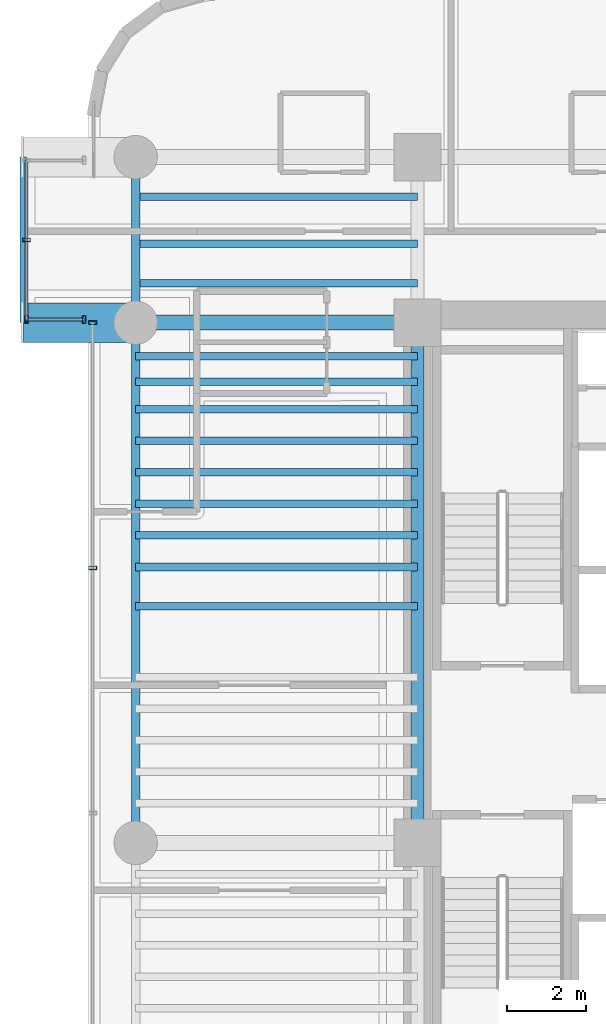
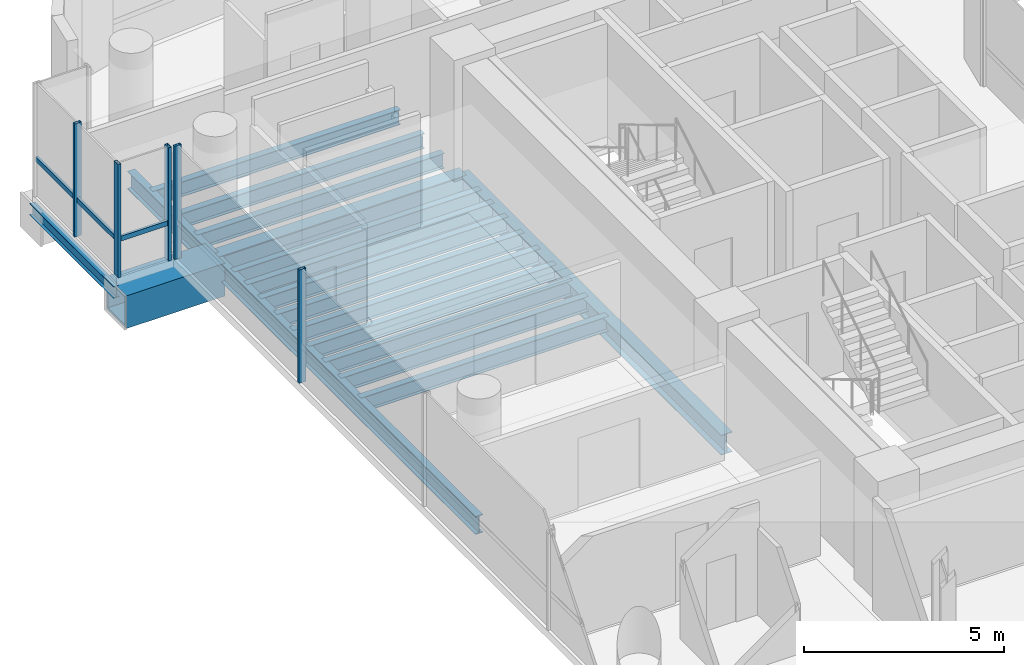
# One storey, part 8 of 35: 18 beams, 7 members, 3 elements without a shape of their own.
"""IFC4 building model written with IfcOpenShell, lengths in metres."""

from ifc_helpers import new_model, si_unit, direction, frame, origin, origin_2d, place, context, subcontext, project, spatial, hollow_rectangle, i_section, extrude, source, transform, mapped, material, material_profile, profile_set, type_object, element, aggregate, save


model = new_model("IFC4")

# Units and contexts
model_context = context("Model", 3, precision=1e-05, world=origin(), true_north=direction((0.0, 1.0)))
body_context = subcontext(model_context, "Body", "Model", "MODEL_VIEW")
ifc_project = project(units=[si_unit("LENGTHUNIT", "METRE"), si_unit("AREAUNIT", "SQUARE_METRE"), si_unit("VOLUMEUNIT", "CUBIC_METRE"), si_unit("PLANEANGLEUNIT", "RADIAN"), si_unit("MASSUNIT", "GRAM", prefix="KILO")], contexts=[model_context])

# Site, building, storey
site_placement = place(None, origin())
site = spatial("IfcSite", under=ifc_project, at=site_placement, CompositionType="ELEMENT")
building_placement = place(site_placement, origin())
building = spatial("IfcBuilding", under=site, at=building_placement, Name="Valdorenza Pilgrim Sanctuary Tower", CompositionType="ELEMENT")
storey_placement = place(building_placement, frame((0.0, 0.0, 116.800048828125)))
storey = spatial("IfcBuildingStorey", under=building, at=storey_placement, Name="L29", CompositionType="ELEMENT", Elevation=116.800048828125)

# Beams
ifc_material_1 = material(Name="Steel ASTM A992 Grade 50", Category="steel")
ifc_material_profile_1 = material_profile(ifc_material_1, i_section(OverallWidth=0.214111328125, OverallDepth=0.549072265625, WebThickness=0.0146484375, FlangeThickness=0.023681640625, at=origin_2d()), Name="W21X93")
ifc_profile_set_1 = profile_set([ifc_material_profile_1], Name="Steel ASTM A992 Grade 50")
beam_type_1 = type_object("IfcBeamType", Name="STR-BM-SPN-W21A", PredefinedType="SPANDREL", material=ifc_profile_set_1)
shared_shape_1 = source(origin(), body_context, "Body", "SweptSolid", [
    extrude(i_section(OverallWidth=0.214111328125, OverallDepth=0.549072265625, WebThickness=0.0146484375, FlangeThickness=0.023681640625, at=origin_2d()), origin(), (0.0, 0.0, 1.0), 13.2001953125),
])
beam_1_placement = place(storey_placement, frame((-29.800048828125, -2.60009765625, -0.5146484375), z_axis=(0.0, 1.0, 0.0), x_axis=(-1.0, 0.0, 0.0)))
element("IfcBeam", 1, at=beam_1_placement, inside=storey, type_object=beam_type_1, Name="L29 Spandrel Beam WA-W-M0N1", PredefinedType="SPANDREL", context=body_context, shape_type="MappedRepresentation", body=[
    mapped(shared_shape_1, transform((0.0, 0.0, 0.0), x_axis=(1.0, 0.0, 0.0), y_axis=(0.0, 1.0, 0.0), z_axis=(0.0, 0.0, 1.0), scale=1.0)),
])
ifc_material_profile_2 = material_profile(ifc_material_1, i_section(OverallWidth=0.323974609375, OverallDepth=0.611083984375, WebThickness=0.0126953125, FlangeThickness=0.01904296875, at=origin_2d()), Name="W24X104")
ifc_profile_set_2 = profile_set([ifc_material_profile_2], Name="Steel ASTM A992 Grade 50")
beam_type_2 = type_object("IfcBeamType", Name="STR-BM-GRD-W24B", PredefinedType="BEAM", material=ifc_profile_set_2)
shared_shape_2 = source(origin(), body_context, "Body", "SweptSolid", [
    extrude(i_section(OverallWidth=0.323974609375, OverallDepth=0.611083984375, WebThickness=0.0126953125, FlangeThickness=0.01904296875, at=origin_2d()), origin(), (0.0, 0.0, 1.0), 13.2001953125),
])
beam_2_placement = place(storey_placement, frame((-22.64990234375, -2.60009765625, -0.545654296875), z_axis=(0.0, 1.0, 0.0), x_axis=(-1.0, 0.0, 0.0)))
element("IfcBeam", 2, at=beam_2_placement, inside=storey, type_object=beam_type_2, Name="L29 Core Tie Girder CA-W-M0N1", PredefinedType="BEAM", context=body_context, shape_type="MappedRepresentation", body=[
    mapped(shared_shape_2, transform((0.0, 0.0, 0.0), x_axis=(1.0, 0.0, 0.0), y_axis=(0.0, 1.0, 0.0), z_axis=(0.0, 0.0, 1.0), scale=1.0)),
])
shared_shape_3 = source(origin(), body_context, "Body", "SweptSolid", [
    extrude(i_section(OverallWidth=0.214111328125, OverallDepth=0.549072265625, WebThickness=0.0146484375, FlangeThickness=0.023681640625, at=origin_2d()), origin(), (0.0, 0.0, 1.0), 4.199951171875),
])
beam_3_placement = place(storey_placement, frame((-29.800048828125, 10.60009765625, -0.5146484375), z_axis=(0.0, 1.0, 0.0), x_axis=(-1.0, 0.0, 0.0)))
element("IfcBeam", 3, at=beam_3_placement, inside=storey, type_object=beam_type_1, Name="L29 Spandrel Beam WA-W-N1N2", PredefinedType="SPANDREL", context=body_context, shape_type="MappedRepresentation", body=[
    mapped(shared_shape_3, transform((0.0, 0.0, 0.0), x_axis=(1.0, 0.0, 0.0), y_axis=(0.0, 1.0, 0.0), z_axis=(0.0, 0.0, 1.0), scale=1.0)),
])
ifc_material_profile_3 = material_profile(ifc_material_1, i_section(OverallWidth=0.1708984375, OverallDepth=0.35107421875, WebThickness=0.0068359375, FlangeThickness=0.009765625, at=origin_2d()), Name="W14X30")
ifc_profile_set_3 = profile_set([ifc_material_profile_3], Name="Steel ASTM A992 Grade 50")
beam_type_3 = type_object("IfcBeamType", Name="STR-BM-BOX-W14", PredefinedType="BEAM", material=ifc_profile_set_3)
shared_shape_4 = source(origin(), body_context, "Body", "SweptSolid", [
    extrude(i_section(OverallWidth=0.1708984375, OverallDepth=0.35107421875, WebThickness=0.0068359375, FlangeThickness=0.009765625, at=origin_2d()), origin(), (0.0, 0.0, 1.0), 4.199951171875),
])
beam_4_placement = place(storey_placement, frame((-32.64990234375, 10.60009765625, -0.41552734375), z_axis=(0.0, 1.0, 0.0), x_axis=(-1.0, 0.0, 0.0)))
element("IfcBeam", 4, at=beam_4_placement, inside=storey, type_object=beam_type_3, Name="L29 Glass Box Edge Beam BOX-WA-L29-F", PredefinedType="BEAM", context=body_context, shape_type="MappedRepresentation", body=[
    mapped(shared_shape_4, transform((0.0, 0.0, 0.0), x_axis=(1.0, 0.0, 0.0), y_axis=(0.0, 1.0, 0.0), z_axis=(0.0, 0.0, 1.0), scale=1.0)),
])
ifc_material_profile_4 = material_profile(ifc_material_1, i_section(OverallWidth=0.382080078125, OverallDepth=0.779052734375, WebThickness=0.01806640625, FlangeThickness=0.030029296875, at=origin_2d()), Name="W30X191")
ifc_profile_set_4 = profile_set([ifc_material_profile_4], Name="Steel ASTM A992 Grade 50")
beam_type_4 = type_object("IfcBeamType", Name="STR-BM-GRD-W30", PredefinedType="BEAM", material=ifc_profile_set_4)
shared_shape_5 = source(origin(), body_context, "Body", "SweptSolid", [
    extrude(i_section(OverallWidth=0.382080078125, OverallDepth=0.779052734375, WebThickness=0.01806640625, FlangeThickness=0.030029296875, at=origin_2d()), origin(), (0.0, 0.0, 1.0), 7.150146484375),
])
beam_5_placement = place(storey_placement, frame((-29.800048828125, 10.60009765625, -0.629638671875), z_axis=(1.0, 0.0, 0.0), x_axis=(0.0, 1.0, 0.0)))
element("IfcBeam", 5, at=beam_5_placement, inside=storey, type_object=beam_type_4, Name="L29 Floor Girder WA-XW-N1", PredefinedType="BEAM", context=body_context, shape_type="MappedRepresentation", body=[
    mapped(shared_shape_5, transform((0.0, 0.0, 0.0), x_axis=(1.0, 0.0, 0.0), y_axis=(0.0, 1.0, 0.0), z_axis=(0.0, 0.0, 1.0), scale=1.0)),
])
ifc_material_profile_5 = material_profile(ifc_material_1, i_section(OverallWidth=0.19091796875, OverallDepth=0.45703125, WebThickness=0.009033203125, FlangeThickness=0.014404296875, at=origin_2d()), Name="W18X50")
ifc_profile_set_5 = profile_set([ifc_material_profile_5], Name="Steel ASTM A992 Grade 50")
beam_type_5 = type_object("IfcBeamType", Name="STR-BM-JST-W18B", PredefinedType="JOIST", material=ifc_profile_set_5)
shared_shape_6 = source(origin(), body_context, "Body", "SweptSolid", [
    extrude(i_section(OverallWidth=0.19091796875, OverallDepth=0.45703125, WebThickness=0.009033203125, FlangeThickness=0.014404296875, at=origin_2d()), origin(), (0.0, 0.0, 1.0), 7.150146484375),
])
for number, where, z_axis, x_axis, name in (
    (6, (-29.800048828125, 3.39990234375, -0.468505859375), (1.0, 0.0, 0.0), (0.0, 1.0, 0.0), "L29 Composite Floor Joist JST-WA-15"),
    (7, (-29.800048828125, 4.39990234375, -0.468505859375), (1.0, 0.0, 0.0), (0.0, 1.0, 0.0), "L29 Composite Floor Joist JST-WA-16"),
    (8, (-29.800048828125, 5.199951171875, -0.468505859375), (1.0, 0.0, 0.0), (0.0, 1.0, 0.0), "L29 Composite Floor Joist JST-WA-17"),
    (9, (-29.800048828125, 6.0, -0.468505859375), (1.0, 0.0, 0.0), (0.0, 1.0, 0.0), "L29 Composite Floor Joist JST-WA-18"),
    (10, (-29.800048828125, 6.800048828125, -0.468505859375), (1.0, 0.0, 0.0), (0.0, 1.0, 0.0), "L29 Composite Floor Joist JST-WA-19"),
    (11, (-29.800048828125, 7.60009765625, -0.468505859375), (1.0, 0.0, 0.0), (0.0, 1.0, 0.0), "L29 Composite Floor Joist JST-WA-20"),
    (12, (-29.800048828125, 8.39990234375, -0.468505859375), (1.0, 0.0, 0.0), (0.0, 1.0, 0.0), "L29 Composite Floor Joist JST-WA-21"),
    (13, (-29.800048828125, 9.10009765625, -0.468505859375), (1.0, 0.0, 0.0), (0.0, 1.0, 0.0), "L29 Composite Floor Joist JST-WA-22"),
    (14, (-29.800048828125, 9.75, -0.468505859375), (1.0, 0.0, 0.0), (0.0, 1.0, 0.0), "L29 Composite Floor Joist JST-WA-23"),
    (15, (-29.800048828125, 11.60009765625, -0.468505859375), (1.0, 0.0, 0.0), (0.0, 1.0, 0.0), "L29 Composite Floor Joist JST-WA-24"),
    (16, (-29.800048828125, 12.60009765625, -0.468505859375), (1.0, 0.0, 0.0), (0.0, 1.0, 0.0), "L29 Composite Floor Joist JST-WA-25"),
    (17, (-29.800048828125, 13.800048828125, -0.468505859375), (1.0, 0.0, 0.0), (0.0, 1.0, 0.0), "L29 Composite Floor Joist JST-WA-26"),
):
    element("IfcBeam", number, at=place(storey_placement, frame(where, z_axis=z_axis, x_axis=x_axis)), inside=storey, type_object=beam_type_5, Name=name, PredefinedType="JOIST", context=body_context, shape_type="MappedRepresentation", body=[
        mapped(shared_shape_6, transform((0.0, 0.0, 0.0), x_axis=(1.0, 0.0, 0.0), y_axis=(0.0, 1.0, 0.0), z_axis=(0.0, 0.0, 1.0), scale=1.0)),
    ])
ifc_material_2 = material(Name="Steel ASTM A572 Grade 42", Category="steel")
ifc_material_profile_6 = material_profile(ifc_material_2, hollow_rectangle(XDim=1.0, YDim=1.0, WallThickness=0.080078125, at=origin_2d()), Name="BOX 1000x1000x80")
ifc_profile_set_6 = profile_set([ifc_material_profile_6], Name="Steel ASTM A572 Grade 42")
beam_type_6 = type_object("IfcBeamType", Name="STR-BM-PROW-CANT", PredefinedType="BEAM", material=ifc_profile_set_6)
shared_shape_7 = source(origin(), body_context, "Body", "SweptSolid", [
    extrude(hollow_rectangle(XDim=1.0, YDim=1.0, WallThickness=0.080078125, at=origin_2d()), origin(), (0.0, 0.0, 1.0), 2.849853515625),
])
beam_6_placement = place(storey_placement, frame((-29.800048828125, 10.60009765625, -0.739990234375), z_axis=(-1.0, 0.0, 0.0), x_axis=(0.0, -1.0, 0.0)))
element("IfcBeam", 18, at=beam_6_placement, inside=storey, type_object=beam_type_6, Name="L29 Glass Box Cantilever Beam BOX-WA-L29-CT-S", PredefinedType="BEAM", context=body_context, shape_type="MappedRepresentation", body=[
    mapped(shared_shape_7, transform((0.0, 0.0, 0.0), x_axis=(1.0, 0.0, 0.0), y_axis=(0.0, 1.0, 0.0), z_axis=(0.0, 0.0, 1.0), scale=1.0)),
])

# Curtain wall, members
ifc_material_3 = material(Name="Curtain-wall IGU glazing", Category="glass")
curtain_wall_type = type_object("IfcCurtainWallType", Name="CW-SYS-02", PredefinedType="NOTDEFINED", material=ifc_material_3)
curtain_wall_1_placement = place(storey_placement, origin())
curtain_wall_1 = element("IfcCurtainWall", 19, at=curtain_wall_1_placement, inside=storey, type_object=curtain_wall_type, Name="L29 Curtain Wall CW-L29-1-1S1", PredefinedType="NOTDEFINED")
ifc_material_4 = material(Name="Anodised aluminium AW-6060", Category="aluminium")
ifc_material_profile_7 = material_profile(ifc_material_4, hollow_rectangle(XDim=0.0849609375, YDim=0.199951171875, WallThickness=0.0048828125, at=origin_2d()), Name="ALU-M 200x85x5")
ifc_profile_set_7 = profile_set([ifc_material_profile_7], Name="Anodised aluminium AW-6060")
member_type_1 = type_object("IfcMemberType", Name="CW-MUL-02", PredefinedType="MULLION", material=ifc_profile_set_7)
shared_shape_8 = source(origin(), body_context, "Body", "SweptSolid", [
    extrude(hollow_rectangle(XDim=0.0849609375, YDim=0.199951171875, WallThickness=0.0048828125, at=origin_2d()), origin(), (0.0, 0.0, 1.0), 3.4599609375),
])
member_1_placement = place(storey_placement, frame((-30.889892578125, 4.377685546875, 0.0), z_axis=(0.0, 0.0, 1.0), x_axis=(0.0, 1.0, 0.0)))
member_1 = element("IfcMember", 20, at=member_1_placement, type_object=member_type_1, Name="CW-L29-1-1S1 Mullion 4", PredefinedType="MULLION", context=body_context, shape_type="MappedRepresentation", body=[
    mapped(shared_shape_8, transform((0.0, 0.0, 0.0), x_axis=(1.0, 0.0, 0.0), y_axis=(0.0, 1.0, 0.0), z_axis=(0.0, 0.0, 1.0), scale=1.0)),
])
member_2_placement = place(storey_placement, frame((-30.889892578125, 10.60009765625, 0.0), z_axis=(0.0, 0.0, 1.0), x_axis=(0.0, 1.0, 0.0)))
member_2 = element("IfcMember", 21, at=member_2_placement, type_object=member_type_1, Name="CW-L29-1-1S1 Mullion 5", PredefinedType="MULLION", context=body_context, shape_type="MappedRepresentation", body=[
    mapped(shared_shape_8, transform((0.0, 0.0, 0.0), x_axis=(1.0, 0.0, 0.0), y_axis=(0.0, 1.0, 0.0), z_axis=(0.0, 0.0, 1.0), scale=1.0)),
])
aggregate(curtain_wall_1, [member_1, member_2])

curtain_wall_2_placement = place(storey_placement, origin())
curtain_wall_2 = element("IfcCurtainWall", 22, at=curtain_wall_2_placement, inside=storey, type_object=curtain_wall_type, Name="L29 Curtain Wall CW-L29-BOX-WA-L29-S", PredefinedType="NOTDEFINED")
member_3_placement = place(storey_placement, frame((-31.110107421875, 10.679931640625, 0.0), z_axis=(0.0, 0.0, 1.0), x_axis=(-1.0, 0.0, 0.0)))
member_3 = element("IfcMember", 23, at=member_3_placement, type_object=member_type_1, Name="CW-L29-BOX-WA-L29-S Mullion 1", PredefinedType="MULLION", context=body_context, shape_type="MappedRepresentation", body=[
    mapped(shared_shape_8, transform((0.0, 0.0, 0.0), x_axis=(1.0, 0.0, 0.0), y_axis=(0.0, 1.0, 0.0), z_axis=(0.0, 0.0, 1.0), scale=1.0)),
])
member_4_placement = place(storey_placement, frame((-32.570068359375, 10.679931640625, 0.0), z_axis=(0.0, 0.0, 1.0), x_axis=(-1.0, 0.0, 0.0)))
member_4 = element("IfcMember", 24, at=member_4_placement, type_object=member_type_1, Name="CW-L29-BOX-WA-L29-S Mullion 2", PredefinedType="MULLION", context=body_context, shape_type="MappedRepresentation", body=[
    mapped(shared_shape_8, transform((0.0, 0.0, 0.0), x_axis=(1.0, 0.0, 0.0), y_axis=(0.0, 1.0, 0.0), z_axis=(0.0, 0.0, 1.0), scale=1.0)),
])

# Curtain wall, member
curtain_wall_3_placement = place(storey_placement, origin())
curtain_wall_3 = element("IfcCurtainWall", 25, at=curtain_wall_3_placement, inside=storey, type_object=curtain_wall_type, Name="L29 Curtain Wall CW-L29-BOX-WA-L29-F", PredefinedType="NOTDEFINED")
member_5_placement = place(storey_placement, frame((-32.570068359375, 12.699951171875, 0.0), z_axis=(0.0, 0.0, 1.0), x_axis=(0.0, 1.0, 0.0)))
member_5 = element("IfcMember", 26, at=member_5_placement, type_object=member_type_1, Name="CW-L29-BOX-WA-L29-F Mullion 2", PredefinedType="MULLION", context=body_context, shape_type="MappedRepresentation", body=[
    mapped(shared_shape_8, transform((0.0, 0.0, 0.0), x_axis=(1.0, 0.0, 0.0), y_axis=(0.0, 1.0, 0.0), z_axis=(0.0, 0.0, 1.0), scale=1.0)),
])

# Member
ifc_material_profile_8 = material_profile(ifc_material_4, hollow_rectangle(XDim=0.074951171875, YDim=0.14990234375, WallThickness=0.00390625, at=origin_2d()), Name="ALU-T 150x75x4")
ifc_profile_set_8 = profile_set([ifc_material_profile_8], Name="Anodised aluminium AW-6060")
member_type_2 = type_object("IfcMemberType", Name="CW-TRN-02", PredefinedType="USERDEFINED", material=ifc_profile_set_8)
shared_shape_9 = source(origin(), body_context, "Body", "SweptSolid", [
    extrude(hollow_rectangle(XDim=0.074951171875, YDim=0.14990234375, WallThickness=0.00390625, at=origin_2d()), origin(), (0.0, 0.0, 1.0), 1.4599609375),
])
member_6_placement = place(storey_placement, frame((-31.110107421875, 10.679931640625, 1.119873046875), z_axis=(-1.0, 0.0, 0.0), x_axis=(0.0, -1.0, 0.0)))
member_6 = element("IfcMember", 27, at=member_6_placement, type_object=member_type_2, Name="CW-L29-BOX-WA-L29-S Transom 1", ObjectType="TRANSOM", PredefinedType="USERDEFINED", context=body_context, shape_type="MappedRepresentation", body=[
    mapped(shared_shape_9, transform((0.0, 0.0, 0.0), x_axis=(1.0, 0.0, 0.0), y_axis=(0.0, 1.0, 0.0), z_axis=(0.0, 0.0, 1.0), scale=1.0)),
])

aggregate(curtain_wall_2, [member_3, member_4, member_6])

shared_shape_10 = source(origin(), body_context, "Body", "SweptSolid", [
    extrude(hollow_rectangle(XDim=0.074951171875, YDim=0.14990234375, WallThickness=0.00390625, at=origin_2d()), origin(), (0.0, 0.0, 1.0), 4.0400390625),
])
member_7_placement = place(storey_placement, frame((-32.570068359375, 10.679931640625, 1.119873046875), z_axis=(0.0, 1.0, 0.0), x_axis=(-1.0, 0.0, 0.0)))
member_7 = element("IfcMember", 28, at=member_7_placement, type_object=member_type_2, Name="CW-L29-BOX-WA-L29-F Transom 1", ObjectType="TRANSOM", PredefinedType="USERDEFINED", context=body_context, shape_type="MappedRepresentation", body=[
    mapped(shared_shape_10, transform((0.0, 0.0, 0.0), x_axis=(1.0, 0.0, 0.0), y_axis=(0.0, 1.0, 0.0), z_axis=(0.0, 0.0, 1.0), scale=1.0)),
])

aggregate(curtain_wall_3, [member_5, member_7])

save(model, "model.ifc")
